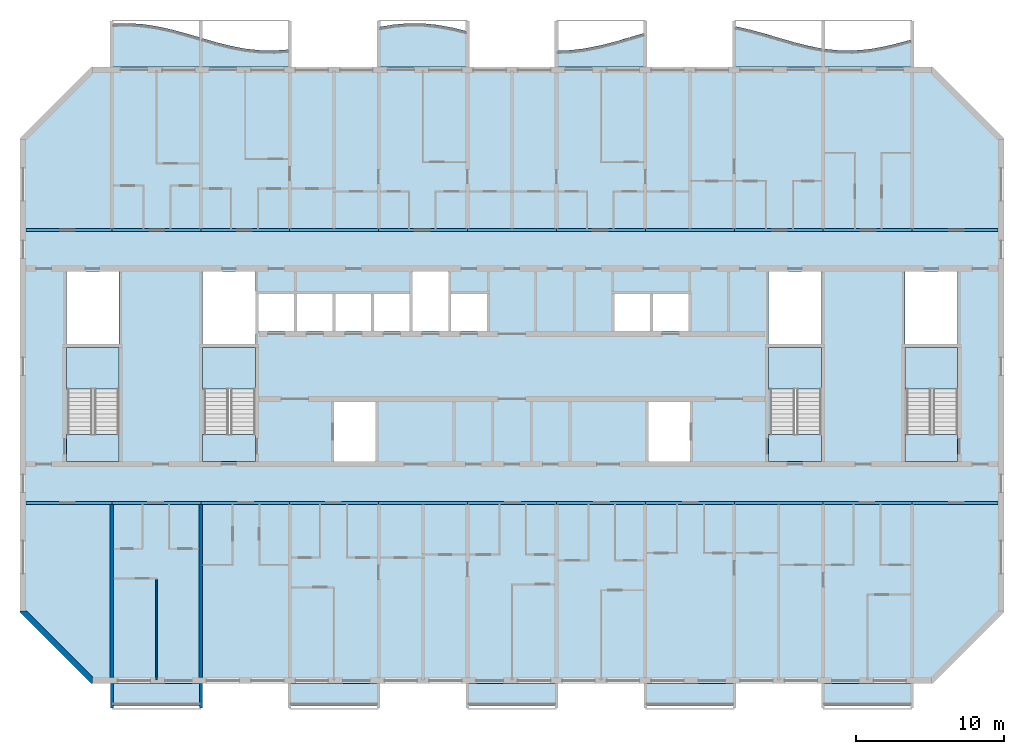
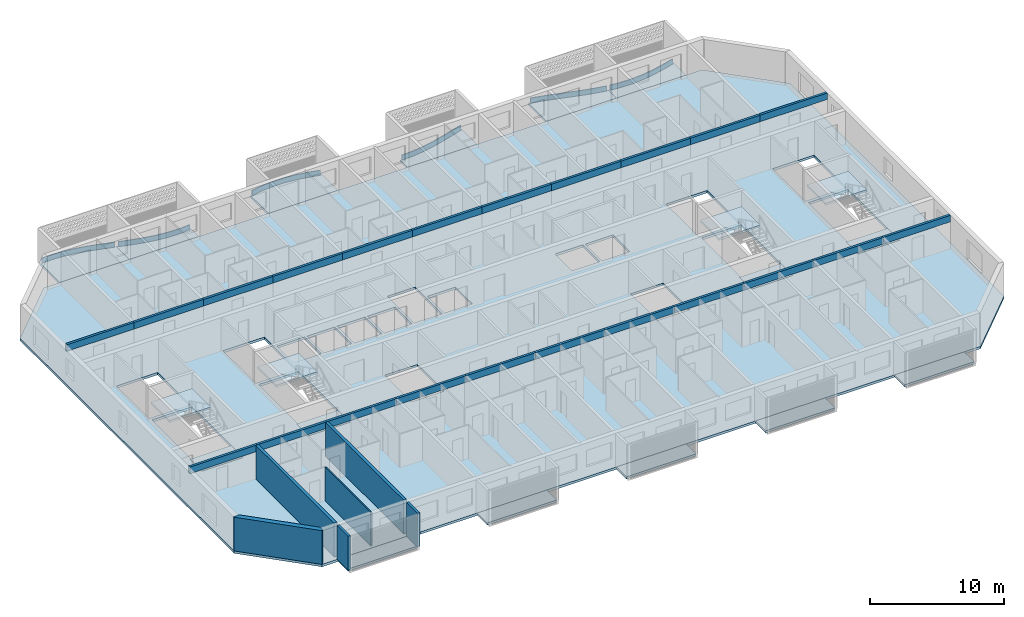
# One storey, part 1 of 27: 22 beams, 20 slabs, 6 plates, 6 walls, 4 elements without a shape of their own.
"""IFC4 building model written with IfcOpenShell, lengths in metres."""

from ifc_helpers import new_model, si_unit, direction, frame, frame_2d, origin, origin_2d, place, context, subcontext, project, spatial, polyline, rectangle, outline, extrude, source, transform, mapped, material, layer, layer_set, material_profile, profile_set, type_object, element, aggregate, save


model = new_model("IFC4")

# Units and contexts
model_context = context("Model", 3, precision=1e-05, world=origin(), true_north=direction((0.0, 1.0)))
body_context = subcontext(model_context, "Body", "Model", "MODEL_VIEW")
ifc_project = project(units=[si_unit("LENGTHUNIT", "METRE"), si_unit("AREAUNIT", "SQUARE_METRE"), si_unit("VOLUMEUNIT", "CUBIC_METRE"), si_unit("PLANEANGLEUNIT", "RADIAN"), si_unit("MASSUNIT", "GRAM", prefix="KILO")], contexts=[model_context])

# Site, building, storey
site_placement = place(None, origin())
site = spatial("IfcSite", under=ifc_project, at=site_placement, CompositionType="ELEMENT")
building_placement = place(site_placement, origin())
building = spatial("IfcBuilding", under=site, at=building_placement, Name="Poui Terraces", CompositionType="ELEMENT")
storey_placement = place(building_placement, frame((0.0, 0.0, 195.0)))
storey = spatial("IfcBuildingStorey", under=building, at=storey_placement, Name="L54", CompositionType="ELEMENT", Elevation=195.0)

# Beams
ifc_material_1 = material(Name="Concrete 50 MPa", Category="concrete")
ifc_material_profile = material_profile(ifc_material_1, rectangle(XDim=0.199951171875, YDim=0.60009765625, at=origin_2d()), Name="RC 200x600")
ifc_profile_set = profile_set([ifc_material_profile], Name="Concrete 50 MPa")
beam_type = type_object("IfcBeamType", Name="COUPLING BEAM 200x600 50MPa", PredefinedType="BEAM", material=ifc_profile_set)
shared_shape_1 = source(origin(), body_context, "Body", "SweptSolid", [
    extrude(rectangle(XDim=0.199951171875, YDim=0.60009765625, at=origin_2d()), origin(), (0.0, 0.0, 1.0), 5.800048828125),
])
for number, where, z_axis, x_axis, name in (
    (1, (18.199951171875, 12.0, 2.780029296875), (1.0, 0.0, 0.0), (0.0, 1.0, 0.0), "COUPLING BEAM LINE B BAY 1"),
    (2, (78.0, 12.0, 2.780029296875), (1.0, 0.0, 0.0), (0.0, 1.0, 0.0), "COUPLING BEAM LINE B BAY 11"),
    (3, (18.199951171875, 30.39990234375, 2.780029296875), (1.0, 0.0, 0.0), (0.0, 1.0, 0.0), "COUPLING BEAM LINE E BAY 1"),
    (4, (78.0, 30.39990234375, 2.780029296875), (1.0, 0.0, 0.0), (0.0, 1.0, 0.0), "COUPLING BEAM LINE E BAY 11"),
):
    element("IfcBeam", number, at=place(storey_placement, frame(where, z_axis=z_axis, x_axis=x_axis)), inside=storey, type_object=beam_type, Name=name, PredefinedType="BEAM", context=body_context, shape_type="MappedRepresentation", body=[
        mapped(shared_shape_1, transform((0.0, 0.0, 0.0))),
    ])
shared_shape_2 = source(origin(), body_context, "Body", "SweptSolid", [
    extrude(rectangle(XDim=0.199951171875, YDim=0.60009765625, at=origin_2d()), origin(), (0.0, 0.0, 1.0), 6.0),
])
for number, where, z_axis, x_axis, name in (
    (5, (24.0, 12.0, 2.780029296875), (1.0, 0.0, 0.0), (0.0, 1.0, 0.0), "COUPLING BEAM LINE B BAY 2"),
    (6, (30.0, 12.0, 2.780029296875), (1.0, 0.0, 0.0), (0.0, 1.0, 0.0), "COUPLING BEAM LINE B BAY 3"),
    (7, (36.0, 12.0, 2.780029296875), (1.0, 0.0, 0.0), (0.0, 1.0, 0.0), "COUPLING BEAM LINE B BAY 4"),
    (8, (42.0, 12.0, 2.780029296875), (1.0, 0.0, 0.0), (0.0, 1.0, 0.0), "COUPLING BEAM LINE B BAY 5"),
    (9, (48.0, 12.0, 2.780029296875), (1.0, 0.0, 0.0), (0.0, 1.0, 0.0), "COUPLING BEAM LINE B BAY 6"),
    (10, (54.0, 12.0, 2.780029296875), (1.0, 0.0, 0.0), (0.0, 1.0, 0.0), "COUPLING BEAM LINE B BAY 7"),
    (11, (60.0, 12.0, 2.780029296875), (1.0, 0.0, 0.0), (0.0, 1.0, 0.0), "COUPLING BEAM LINE B BAY 8"),
    (12, (66.0, 12.0, 2.780029296875), (1.0, 0.0, 0.0), (0.0, 1.0, 0.0), "COUPLING BEAM LINE B BAY 9"),
    (13, (72.0, 12.0, 2.780029296875), (1.0, 0.0, 0.0), (0.0, 1.0, 0.0), "COUPLING BEAM LINE B BAY 10"),
    (14, (24.0, 30.39990234375, 2.780029296875), (1.0, 0.0, 0.0), (0.0, 1.0, 0.0), "COUPLING BEAM LINE E BAY 2"),
    (15, (30.0, 30.39990234375, 2.780029296875), (1.0, 0.0, 0.0), (0.0, 1.0, 0.0), "COUPLING BEAM LINE E BAY 3"),
    (16, (36.0, 30.39990234375, 2.780029296875), (1.0, 0.0, 0.0), (0.0, 1.0, 0.0), "COUPLING BEAM LINE E BAY 4"),
    (17, (42.0, 30.39990234375, 2.780029296875), (1.0, 0.0, 0.0), (0.0, 1.0, 0.0), "COUPLING BEAM LINE E BAY 5"),
    (18, (48.0, 30.39990234375, 2.780029296875), (1.0, 0.0, 0.0), (0.0, 1.0, 0.0), "COUPLING BEAM LINE E BAY 6"),
    (19, (54.0, 30.39990234375, 2.780029296875), (1.0, 0.0, 0.0), (0.0, 1.0, 0.0), "COUPLING BEAM LINE E BAY 7"),
    (20, (60.0, 30.39990234375, 2.780029296875), (1.0, 0.0, 0.0), (0.0, 1.0, 0.0), "COUPLING BEAM LINE E BAY 8"),
    (21, (66.0, 30.39990234375, 2.780029296875), (1.0, 0.0, 0.0), (0.0, 1.0, 0.0), "COUPLING BEAM LINE E BAY 9"),
    (22, (72.0, 30.39990234375, 2.780029296875), (1.0, 0.0, 0.0), (0.0, 1.0, 0.0), "COUPLING BEAM LINE E BAY 10"),
):
    element("IfcBeam", number, at=place(storey_placement, frame(where, z_axis=z_axis, x_axis=x_axis)), inside=storey, type_object=beam_type, Name=name, PredefinedType="BEAM", context=body_context, shape_type="MappedRepresentation", body=[
        mapped(shared_shape_2, transform((0.0, 0.0, 0.0))),
    ])

# Slabs
ifc_material_2 = material(Name="Precast concrete 40 MPa", Category="concrete")
ifc_layer_1 = layer(ifc_material_2, 0.199951171875)
ifc_layer_set_1 = layer_set([ifc_layer_1], Name="Precast concrete 40 MPa")
slab_type_1 = type_object("IfcSlabType", Name="BALCONY SLAB 200", PredefinedType="FLOOR", material=ifc_layer_set_1)
slab_1_placement = place(storey_placement, frame((0.0, 0.0, -0.2001953125)))
element("IfcSlab", 23, at=slab_1_placement, inside=storey, type_object=slab_type_1, Name="BALCONY SLAB", PredefinedType="FLOOR", context=body_context, shape_type="SweptSolid", body=[
    extrude(outline(polyline([(24.0, 41.39990234375), (30.0, 41.39990234375), (30.0, 43.363037109375), (29.0, 43.658447265625), (28.0, 43.9296875), (27.0, 44.1494140625), (26.0, 44.294189453125), (25.0, 44.349609375), (24.0, 44.309814453125), (24.0, 41.39990234375)])), origin(), (0.0, 0.0, 1.0), 0.2001953125),
])
slab_2_placement = place(storey_placement, frame((0.0, 0.0, -0.2001953125)))
element("IfcSlab", 24, at=slab_2_placement, inside=storey, type_object=slab_type_1, Name="BALCONY SLAB", PredefinedType="FLOOR", context=body_context, shape_type="SweptSolid", body=[
    extrude(outline(polyline([(30.0, 41.39990234375), (36.0, 41.39990234375), (36.0, 42.583984375), (35.0, 42.50537109375), (34.0, 42.521240234375), (33.0, 42.630126953125), (32.0, 42.821044921875), (31.0, 43.073974609375), (30.0, 43.363037109375), (30.0, 41.39990234375)])), origin(), (0.0, 0.0, 1.0), 0.2001953125),
])
slab_3_placement = place(storey_placement, frame((0.0, 0.0, -0.2001953125)))
element("IfcSlab", 25, at=slab_3_placement, inside=storey, type_object=slab_type_1, Name="BALCONY SLAB", PredefinedType="FLOOR", context=body_context, shape_type="SweptSolid", body=[
    extrude(outline(polyline([(42.0, 41.39990234375), (48.0, 41.39990234375), (48.0, 43.799072265625), (47.0, 44.047607421875), (46.0, 44.232177734375), (45.0, 44.333740234375), (44.0, 44.341796875), (43.0, 44.25537109375), (42.0, 44.08349609375), (42.0, 41.39990234375)])), origin(), (0.0, 0.0, 1.0), 0.2001953125),
])
slab_4_placement = place(storey_placement, frame((0.0, 0.0, -0.2001953125)))
element("IfcSlab", 26, at=slab_4_placement, inside=storey, type_object=slab_type_1, Name="BALCONY SLAB", PredefinedType="FLOOR", context=body_context, shape_type="SweptSolid", body=[
    extrude(outline(polyline([(54.0, 41.39990234375), (60.0, 41.39990234375), (60.0, 43.7060546875), (59.0, 43.41259765625), (58.0, 43.120361328125), (57.0, 42.859375), (56.0, 42.65673828125), (55.0, 42.533203125), (54.0, 42.501220703125), (54.0, 41.39990234375)])), origin(), (0.0, 0.0, 1.0), 0.2001953125),
])
slab_5_placement = place(storey_placement, frame((0.0, 0.0, -0.2001953125)))
element("IfcSlab", 27, at=slab_5_placement, inside=storey, type_object=slab_type_1, Name="BALCONY SLAB", PredefinedType="FLOOR", context=body_context, shape_type="SweptSolid", body=[
    extrude(outline(polyline([(66.0, 41.39990234375), (72.0, 41.39990234375), (72.0, 42.630126953125), (71.0, 42.821044921875), (70.0, 43.073974609375), (69.0, 43.363037109375), (68.0, 43.658447265625), (67.0, 43.9296875), (66.0, 44.1494140625), (66.0, 41.39990234375)])), origin(), (0.0, 0.0, 1.0), 0.2001953125),
])
slab_6_placement = place(storey_placement, frame((0.0, 0.0, -0.2001953125)))
element("IfcSlab", 28, at=slab_6_placement, inside=storey, type_object=slab_type_1, Name="BALCONY SLAB", PredefinedType="FLOOR", context=body_context, shape_type="SweptSolid", body=[
    extrude(outline(polyline([(72.0, 41.39990234375), (78.0, 41.39990234375), (78.0, 43.264404296875), (77.0, 42.984130859375), (76.0, 42.749267578125), (75.0, 42.583984375), (74.0, 42.50537109375), (73.0, 42.521240234375), (72.0, 42.630126953125), (72.0, 41.39990234375)])), origin(), (0.0, 0.0, 1.0), 0.2001953125),
])

# Stair, slabs
stair_type = type_object("IfcStairType", Name="EXIT STAIR 1650 50 MPA", PredefinedType="HALF_TURN_STAIR", material=ifc_material_1)
stair_1_placement = place(storey_placement, origin())
stair_1 = element("IfcStair", 29, at=stair_1_placement, inside=storey, type_object=stair_type, Name="L54 CORE STAIR EAST", PredefinedType="HALF_TURN_STAIR")
ifc_layer_2 = layer(ifc_material_1, 0.199951171875)
ifc_layer_set_2 = layer_set([ifc_layer_2], Name="Concrete 50 MPa")
slab_type_2 = type_object("IfcSlabType", Name="STAIR LANDING 200 50 MPA", PredefinedType="LANDING", material=ifc_layer_set_2)
slab_7_placement = place(storey_placement, frame((0.0, 0.0, 1.449951171875)))
slab_7 = element("IfcSlab", 30, at=slab_7_placement, type_object=slab_type_2, Name="ST-CE landing 1", PredefinedType="LANDING", context=body_context, shape_type="SweptSolid", body=[
    extrude(outline(polyline([(68.324951171875, 19.679931640625), (71.875, 19.679931640625), (71.875, 22.47509765625), (68.324951171875, 22.47509765625), (68.324951171875, 19.679931640625)])), origin(), (0.0, 0.0, 1.0), 0.199951171875),
])
slab_8_placement = place(storey_placement, frame((0.0, 0.0, -0.2001953125)))
slab_8 = element("IfcSlab", 31, at=slab_8_placement, type_object=slab_type_2, Name="ST-CE landing 2", PredefinedType="LANDING", context=body_context, shape_type="SweptSolid", body=[
    extrude(outline(polyline([(68.324951171875, 14.800048828125), (71.875, 14.800048828125), (71.875, 16.60009765625), (68.324951171875, 16.60009765625), (68.324951171875, 14.800048828125)])), origin(), (0.0, 0.0, 1.0), 0.2001953125),
])
aggregate(stair_1, [slab_7, slab_8])

stair_2_placement = place(storey_placement, origin())
stair_2 = element("IfcStair", 32, at=stair_2_placement, inside=storey, type_object=stair_type, Name="L54 CORE STAIR WEST", PredefinedType="HALF_TURN_STAIR")
slab_9_placement = place(storey_placement, frame((0.0, 0.0, 1.449951171875)))
slab_9 = element("IfcSlab", 33, at=slab_9_placement, type_object=slab_type_2, Name="ST-CW landing 1", PredefinedType="LANDING", context=body_context, shape_type="SweptSolid", body=[
    extrude(outline(polyline([(30.125, 19.679931640625), (33.675048828125, 19.679931640625), (33.675048828125, 22.47509765625), (30.125, 22.47509765625), (30.125, 19.679931640625)])), origin(), (0.0, 0.0, 1.0), 0.199951171875),
])
slab_10_placement = place(storey_placement, frame((0.0, 0.0, -0.2001953125)))
slab_10 = element("IfcSlab", 34, at=slab_10_placement, type_object=slab_type_2, Name="ST-CW landing 2", PredefinedType="LANDING", context=body_context, shape_type="SweptSolid", body=[
    extrude(outline(polyline([(30.125, 14.800048828125), (33.675048828125, 14.800048828125), (33.675048828125, 16.60009765625), (30.125, 16.60009765625), (30.125, 14.800048828125)])), origin(), (0.0, 0.0, 1.0), 0.2001953125),
])
aggregate(stair_2, [slab_9, slab_10])

stair_3_placement = place(storey_placement, origin())
stair_3 = element("IfcStair", 35, at=stair_3_placement, inside=storey, type_object=stair_type, Name="L54 TIP STAIR EAST", PredefinedType="HALF_TURN_STAIR")
slab_11_placement = place(storey_placement, frame((0.0, 0.0, 1.449951171875)))
slab_11 = element("IfcSlab", 36, at=slab_11_placement, type_object=slab_type_2, Name="ST-E landing 1", PredefinedType="LANDING", context=body_context, shape_type="SweptSolid", body=[
    extrude(outline(polyline([(77.52490234375, 19.679931640625), (81.074951171875, 19.679931640625), (81.074951171875, 22.47509765625), (77.52490234375, 22.47509765625), (77.52490234375, 19.679931640625)])), origin(), (0.0, 0.0, 1.0), 0.199951171875),
])
slab_12_placement = place(storey_placement, frame((0.0, 0.0, -0.2001953125)))
slab_12 = element("IfcSlab", 37, at=slab_12_placement, type_object=slab_type_2, Name="ST-E landing 2", PredefinedType="LANDING", context=body_context, shape_type="SweptSolid", body=[
    extrude(outline(polyline([(77.52490234375, 14.800048828125), (81.074951171875, 14.800048828125), (81.074951171875, 16.60009765625), (77.52490234375, 16.60009765625), (77.52490234375, 14.800048828125)])), origin(), (0.0, 0.0, 1.0), 0.2001953125),
])
aggregate(stair_3, [slab_11, slab_12])

stair_4_placement = place(storey_placement, origin())
stair_4 = element("IfcStair", 38, at=stair_4_placement, inside=storey, type_object=stair_type, Name="L54 TIP STAIR WEST", PredefinedType="HALF_TURN_STAIR")
slab_13_placement = place(storey_placement, frame((0.0, 0.0, 1.449951171875)))
slab_13 = element("IfcSlab", 39, at=slab_13_placement, type_object=slab_type_2, Name="ST-W landing 1", PredefinedType="LANDING", context=body_context, shape_type="SweptSolid", body=[
    extrude(outline(polyline([(20.925048828125, 19.679931640625), (24.47509765625, 19.679931640625), (24.47509765625, 22.47509765625), (20.925048828125, 22.47509765625), (20.925048828125, 19.679931640625)])), origin(), (0.0, 0.0, 1.0), 0.199951171875),
])
slab_14_placement = place(storey_placement, frame((0.0, 0.0, -0.2001953125)))
slab_14 = element("IfcSlab", 40, at=slab_14_placement, type_object=slab_type_2, Name="ST-W landing 2", PredefinedType="LANDING", context=body_context, shape_type="SweptSolid", body=[
    extrude(outline(polyline([(20.925048828125, 14.800048828125), (24.47509765625, 14.800048828125), (24.47509765625, 16.60009765625), (20.925048828125, 16.60009765625), (20.925048828125, 14.800048828125)])), origin(), (0.0, 0.0, 1.0), 0.2001953125),
])
aggregate(stair_4, [slab_13, slab_14])

# Plates
ifc_layer_3 = layer(ifc_material_2, 0.080078125)
ifc_layer_set_3 = layer_set([ifc_layer_3], Name="Precast concrete 40 MPa")
plate_type = type_object("IfcPlateType", Name="SUNSHADE UPSTAND 80", PredefinedType="SHEET", material=ifc_layer_set_3)
plate_1_placement = place(storey_placement, origin())
element("IfcPlate", 41, at=plate_1_placement, inside=storey, type_object=plate_type, Name="SUNSHADE UPSTAND", PredefinedType="SHEET", context=body_context, shape_type="SweptSolid", body=[
    extrude(outline(polyline([(25.00048828125, 44.3447265625), (24.15576171875, 44.316162109375), (24.123779296875, 44.31494140625), (24.12646484375, 44.235107421875), (24.99951171875, 44.2646484375), (25.99609375, 44.20947265625), (26.992919921875, 44.06494140625), (27.990478515625, 43.845947265625), (28.989013671875, 43.574951171875), (29.86376953125, 43.31689453125), (29.88623046875, 43.3935546875), (29.010986328125, 43.65185546875), (28.009521484375, 43.923583984375), (27.007080078125, 44.143798828125), (26.00390625, 44.2890625), (25.00048828125, 44.3447265625)])), origin(), (0.0, 0.0, 1.0), 0.449951171875),
])
plate_2_placement = place(storey_placement, origin())
element("IfcPlate", 42, at=plate_2_placement, inside=storey, type_object=plate_type, Name="SUNSHADE UPSTAND", PredefinedType="SHEET", context=body_context, shape_type="SweptSolid", body=[
    extrude(outline(polyline([(31.010498046875, 43.0673828125), (30.135986328125, 43.3193359375), (30.114013671875, 43.242431640625), (30.989501953125, 42.990234375), (31.9912109375, 42.73681640625), (32.994140625, 42.545654296875), (33.99755859375, 42.436279296875), (35.001220703125, 42.42041015625), (35.8779296875, 42.484375), (35.8720703125, 42.564208984375), (34.998779296875, 42.50048828125), (34.00244140625, 42.51611328125), (33.005859375, 42.624755859375), (32.0087890625, 42.81494140625), (31.010498046875, 43.0673828125)])), origin(), (0.0, 0.0, 1.0), 0.449951171875),
])
plate_3_placement = place(storey_placement, origin())
element("IfcPlate", 43, at=plate_3_placement, inside=storey, type_object=plate_type, Name="SUNSHADE UPSTAND", PredefinedType="SHEET", context=body_context, shape_type="SweptSolid", body=[
    extrude(outline(polyline([(42.9951171875, 44.25), (42.118408203125, 44.103515625), (42.131591796875, 44.024658203125), (43.0048828125, 44.170654296875), (44.001708984375, 44.256591796875), (44.997802734375, 44.248779296875), (45.994384765625, 44.147705078125), (46.99169921875, 43.96337890625), (47.865478515625, 43.748779296875), (47.884521484375, 43.82666015625), (47.00830078125, 44.041748046875), (46.005615234375, 44.226806640625), (45.002197265625, 44.32861328125), (43.998291015625, 44.336669921875), (42.9951171875, 44.25)])), origin(), (0.0, 0.0, 1.0), 0.449951171875),
])
plate_4_placement = place(storey_placement, origin())
element("IfcPlate", 44, at=plate_4_placement, inside=storey, type_object=plate_type, Name="SUNSHADE UPSTAND", PredefinedType="SHEET", context=body_context, shape_type="SweptSolid", body=[
    extrude(outline(polyline([(54.996826171875, 42.528076171875), (54.12353515625, 42.4951171875), (54.12646484375, 42.4150390625), (55.003173828125, 42.4482421875), (56.00634765625, 42.572265625), (57.009033203125, 42.775390625), (58.0107421875, 43.036865234375), (59.01123046875, 43.3291015625), (59.88623046875, 43.5869140625), (59.86376953125, 43.663818359375), (58.98876953125, 43.406005859375), (57.9892578125, 43.114013671875), (56.990966796875, 42.853515625), (55.99365234375, 42.6513671875), (54.996826171875, 42.528076171875)])), origin(), (0.0, 0.0, 1.0), 0.449951171875),
])
plate_5_placement = place(storey_placement, origin())
element("IfcPlate", 45, at=plate_5_placement, inside=storey, type_object=plate_type, Name="SUNSHADE UPSTAND", PredefinedType="SHEET", context=body_context, shape_type="SweptSolid", body=[
    extrude(outline(polyline([(67.009521484375, 43.923583984375), (66.1337890625, 44.11962890625), (66.1162109375, 44.04150390625), (66.990478515625, 43.845947265625), (67.989013671875, 43.574951171875), (68.98876953125, 43.279541015625), (69.989501953125, 42.990234375), (70.9912109375, 42.73681640625), (71.8671875, 42.565673828125), (71.8828125, 42.644287109375), (71.0087890625, 42.81494140625), (70.010498046875, 43.0673828125), (69.01123046875, 43.356201171875), (68.010986328125, 43.65185546875), (67.009521484375, 43.923583984375)])), origin(), (0.0, 0.0, 1.0), 0.449951171875),
])
plate_6_placement = place(storey_placement, origin())
element("IfcPlate", 46, at=plate_6_placement, inside=storey, type_object=plate_type, Name="SUNSHADE UPSTAND", PredefinedType="SHEET", context=body_context, shape_type="SweptSolid", body=[
    extrude(outline(polyline([(73.00244140625, 42.51611328125), (72.129150390625, 42.606689453125), (72.120849609375, 42.527099609375), (72.99755859375, 42.436279296875), (74.001220703125, 42.42041015625), (75.0048828125, 42.499267578125), (76.0078125, 42.6650390625), (77.010009765625, 42.900390625), (77.8857421875, 43.144287109375), (77.8642578125, 43.221435546875), (76.989990234375, 42.977783203125), (75.9921875, 42.74365234375), (74.9951171875, 42.578857421875), (73.998779296875, 42.50048828125), (73.00244140625, 42.51611328125)])), origin(), (0.0, 0.0, 1.0), 0.449951171875),
])

# Slabs
ifc_material_3 = material(Name="Concrete 40 MPa", Category="concrete")
ifc_layer_4 = layer(ifc_material_3, 0.219970703125)
ifc_layer_set_4 = layer_set([ifc_layer_4], Name="Concrete 40 MPa")
slab_type_3 = type_object("IfcSlabType", Name="FLOOR SLAB 220", PredefinedType="FLOOR", material=ifc_layer_set_4)
shared_shape_3 = source(origin(), body_context, "Body", "SweptSolid", [
    extrude(outline(polyline([(0.0, 0.0), (4.800048828125, -4.800048828125), (61.599853515625, -4.800048828125), (66.39990234375, 0.0), (66.39990234375, 32.0), (61.599853515625, 36.7998046875), (4.800048828125, 36.7998046875), (0.0, 32.0), (0.0, 0.0)]), holes=[polyline([(21.199951171875, 10.199951171875), (21.199951171875, 14.199951171875), (24.0, 14.199951171875), (24.0, 10.199951171875), (21.199951171875, 10.199951171875)]), polyline([(3.224853515625, 17.849853515625), (6.675048828125, 17.849853515625), (6.675048828125, 12.0), (6.675048828125, 10.199951171875), (3.125, 10.199951171875), (3.125, 12.0), (3.224853515625, 12.0), (3.224853515625, 17.849853515625)]), polyline([(12.425048828125, 17.849853515625), (15.875, 17.849853515625), (15.875, 12.0), (15.875, 10.199951171875), (12.324951171875, 10.199951171875), (12.324951171875, 12.0), (12.425048828125, 12.0), (12.425048828125, 17.849853515625)]), polyline([(16.099853515625, 19.0), (16.099853515625, 21.5), (18.5, 21.5), (18.5, 19.0), (16.099853515625, 19.0)]), polyline([(18.699951171875, 19.0), (18.699951171875, 21.5), (21.099853515625, 21.5), (21.099853515625, 19.0), (18.699951171875, 19.0)]), polyline([(21.300048828125, 19.0), (21.300048828125, 21.5), (23.699951171875, 21.5), (23.699951171875, 19.0), (21.300048828125, 19.0)]), polyline([(23.89990234375, 19.0), (23.89990234375, 21.5), (26.300048828125, 21.5), (26.300048828125, 19.0), (23.89990234375, 19.0)]), polyline([(3.125, 23.0), (6.675048828125, 23.0), (6.675048828125, 18.125), (3.125, 18.125), (3.125, 23.0)]), polyline([(12.324951171875, 23.0), (15.875, 23.0), (15.875, 18.125), (12.324951171875, 18.125), (12.324951171875, 23.0)]), polyline([(42.39990234375, 10.199951171875), (42.39990234375, 14.199951171875), (45.199951171875, 14.199951171875), (45.199951171875, 10.199951171875), (42.39990234375, 10.199951171875)]), polyline([(50.625, 17.849853515625), (54.074951171875, 17.849853515625), (54.074951171875, 12.0), (54.074951171875, 10.199951171875), (50.52490234375, 10.199951171875), (50.52490234375, 12.0), (50.625, 12.0), (50.625, 17.849853515625)]), polyline([(59.824951171875, 17.849853515625), (63.27490234375, 17.849853515625), (63.27490234375, 12.0), (63.27490234375, 10.199951171875), (59.724853515625, 10.199951171875), (59.724853515625, 12.0), (59.824951171875, 12.0), (59.824951171875, 17.849853515625)]), polyline([(29.099853515625, 19.0), (29.099853515625, 21.5), (31.5, 21.5), (31.5, 19.0), (29.099853515625, 19.0)]), polyline([(40.099853515625, 19.0), (40.099853515625, 21.5), (42.5, 21.5), (42.5, 19.0), (40.099853515625, 19.0)]), polyline([(42.699951171875, 19.0), (42.699951171875, 21.5), (45.099853515625, 21.5), (45.099853515625, 19.0), (42.699951171875, 19.0)]), polyline([(50.52490234375, 18.125), (50.52490234375, 23.0), (54.074951171875, 23.0), (54.074951171875, 18.125), (50.52490234375, 18.125)]), polyline([(59.724853515625, 23.0), (63.27490234375, 23.0), (63.27490234375, 18.125), (59.724853515625, 18.125), (59.724853515625, 23.0)]), polyline([(26.5, 23.0), (28.89990234375, 23.0), (28.89990234375, 19.0), (26.5, 19.0), (26.5, 23.0)])]), origin(), (0.0, 0.0, 1.0), 0.22021484375),
])
slab_15_placement = place(storey_placement, frame((17.800048828125, 4.60009765625, -0.22021484375)))
element("IfcSlab", 47, at=slab_15_placement, inside=storey, type_object=slab_type_3, Name="FLOOR SLAB", PredefinedType="FLOOR", context=body_context, shape_type="MappedRepresentation", body=[
    mapped(shared_shape_3, transform((0.0, 0.0, 0.0))),
])
ifc_layer_5 = layer(ifc_material_2, 0.199951171875)
ifc_layer_set_5 = layer_set([ifc_layer_5], Name="Precast concrete 40 MPa")
slab_type_4 = type_object("IfcSlabType", Name="REAR BALCONY SLAB 200", PredefinedType="FLOOR", material=ifc_layer_set_5)
shared_shape_4 = source(origin(), body_context, "Body", "SweptSolid", [
    extrude(outline(polyline([(0.0, 0.0), (6.0, 0.0), (6.0, 1.5), (0.0, 1.5), (0.0, 0.0)])), origin(), (0.0, 0.0, 1.0), 0.2001953125),
])
for number, where, name in (
    (48, (24.0, -1.699951171875, -0.2001953125), "REAR BALCONY SLAB"),
    (49, (36.0, -1.699951171875, -0.2001953125), "REAR BALCONY SLAB"),
    (50, (48.0, -1.699951171875, -0.2001953125), "REAR BALCONY SLAB"),
    (51, (60.0, -1.699951171875, -0.2001953125), "REAR BALCONY SLAB"),
    (52, (72.0, -1.699951171875, -0.2001953125), "REAR BALCONY SLAB"),
):
    element("IfcSlab", number, at=place(storey_placement, frame(where)), inside=storey, type_object=slab_type_4, Name=name, PredefinedType="FLOOR", context=body_context, shape_type="MappedRepresentation", body=[
        mapped(shared_shape_4, transform((0.0, 0.0, 0.0))),
    ])

# Walls
ifc_layer_6 = layer(ifc_material_1, 0.25)
ifc_layer_set_6 = layer_set([ifc_layer_6], Name="Concrete 50 MPa")
wall_type_1 = type_object("IfcWallType", Name="CROSS WALL 250 50MPa", PredefinedType="SHEAR", material=ifc_layer_set_6)
for number, where, z_axis, x_axis, name in (
    (53, (24.0, 0.199951171875, 0.0), (0.0, 0.0, 1.0), (0.0, 1.0, 0.0), "CROSS WALL LINE 5 SOUTH"),
    (54, (30.0, 0.199951171875, 0.0), (0.0, 0.0, 1.0), (0.0, 1.0, 0.0), "CROSS WALL LINE 6 SOUTH"),
):
    element("IfcWall", number, at=place(storey_placement, frame(where, z_axis=z_axis, x_axis=x_axis)), inside=storey, type_object=wall_type_1, Name=name, PredefinedType="SHEAR", context=body_context, shape_type="SweptSolid", body=[
        extrude(rectangle(XDim=11.699951171875, YDim=0.25, at=frame_2d((5.85009765625, 0.0))), origin(), (0.0, 0.0, 1.0), 3.080078125),
    ])
ifc_material_4 = material(Name="Plasterboard partition")
ifc_layer_7 = layer(ifc_material_4, 0.10009765625)
ifc_layer_set_7 = layer_set([ifc_layer_7], Name="Plasterboard partition")
wall_type_2 = type_object("IfcWallType", Name="FLAT PARTITION 100", PredefinedType="PARTITIONING", material=ifc_layer_set_7)
wall_1_placement = place(storey_placement, frame((27.0, 0.06005859375, 0.0), z_axis=(0.0, 0.0, 1.0), x_axis=(0.0, 1.0, 0.0)))
element("IfcWall", 55, at=wall_1_placement, inside=storey, type_object=wall_type_2, Name="FLAT PARTITION 100", PredefinedType="PARTITIONING", context=body_context, shape_type="SweptSolid", body=[
    extrude(rectangle(XDim=6.7900390625, YDim=0.10009765625, at=frame_2d((3.39501953125, 0.0))), origin(), (0.0, 0.0, 1.0), 3.080078125),
])
ifc_layer_8 = layer(ifc_material_2, 0.39990234375)
ifc_layer_set_8 = layer_set([ifc_layer_8], Name="Precast concrete 40 MPa")
wall_type_3 = type_object("IfcWallType", Name="TERRACOTTA CLAD CHAMFER WALL 400", PredefinedType="STANDARD", material=ifc_layer_set_8)
wall_2_placement = place(storey_placement, origin())
element("IfcWall", 56, at=wall_2_placement, inside=storey, type_object=wall_type_3, Name="CHAMFER WALL CH07", PredefinedType="STANDARD", context=body_context, shape_type="SweptSolid", body=[
    extrude(outline(polyline([(17.800048828125, 4.682861328125), (17.800048828125, 4.60009765625), (22.60009765625, -0.199951171875), (22.682861328125, -0.199951171875), (22.682861328125, 0.28271484375), (18.28271484375, 4.682861328125), (17.800048828125, 4.682861328125)])), origin(), (0.0, 0.0, 1.0), 3.080078125),
])
ifc_layer_9 = layer(ifc_material_2, 0.199951171875)
ifc_layer_set_9 = layer_set([ifc_layer_9], Name="Precast concrete 40 MPa")
wall_type_4 = type_object("IfcWallType", Name="REAR FIN 200", PredefinedType="STANDARD", material=ifc_layer_set_9)
shared_shape_5 = source(origin(), body_context, "Body", "SweptSolid", [
    extrude(outline(polyline([(0.0, 0.0), (0.2001953125, 0.0), (0.2001953125, 1.650146484375), (0.0, 1.650146484375), (0.0, 0.0)])), origin(), (0.0, 0.0, 1.0), 3.10009765625),
])
for number, where, name in (
    (57, (23.89990234375, -1.85009765625, 0.0), "REAR FIN"),
    (58, (29.89990234375, -1.85009765625, 0.0), "REAR FIN"),
):
    element("IfcWall", number, at=place(storey_placement, frame(where)), inside=storey, type_object=wall_type_4, Name=name, PredefinedType="STANDARD", context=body_context, shape_type="MappedRepresentation", body=[
        mapped(shared_shape_5, transform((0.0, 0.0, 0.0))),
    ])

save(model, "model.ifc")
